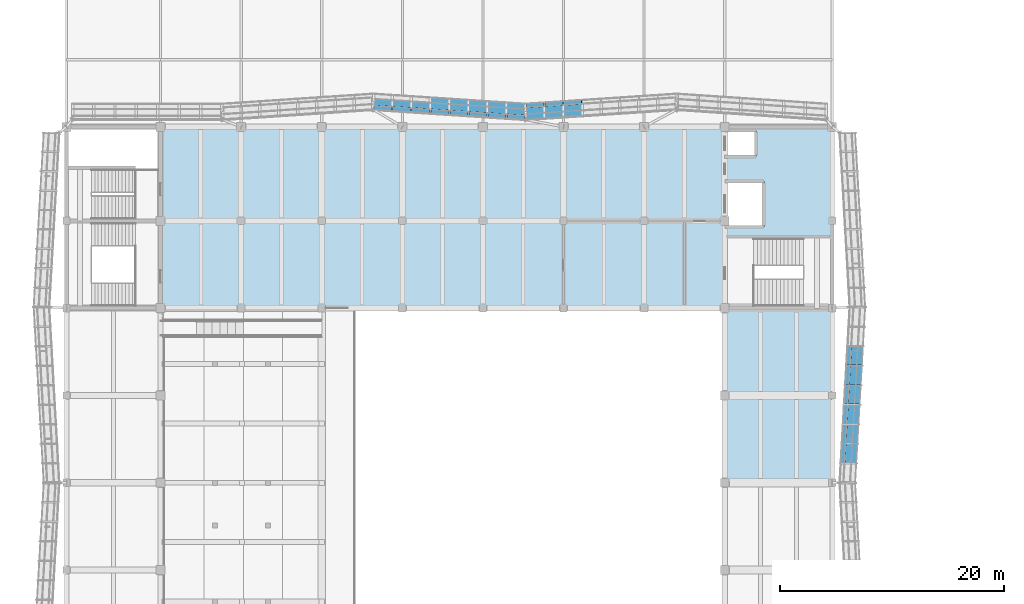
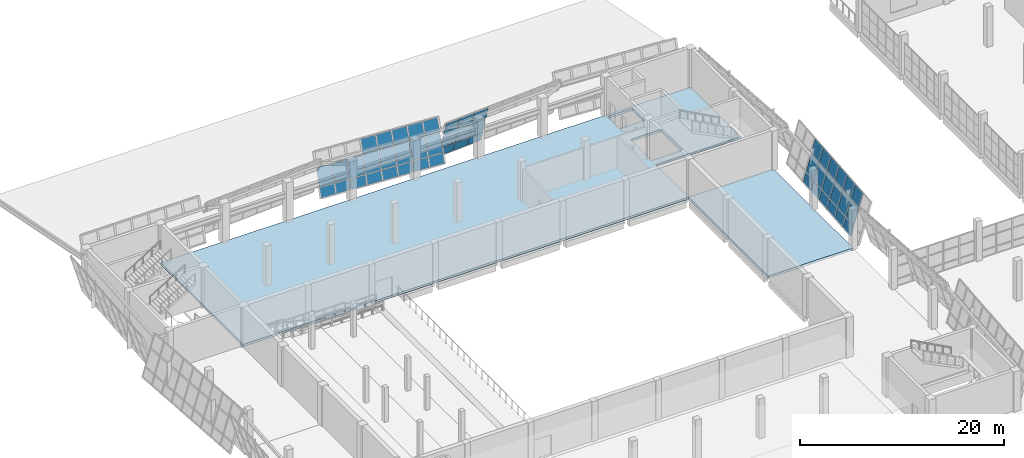
# One storey, part 55 of 79: 48 plates, 2 slabs, 3 elements without a shape of their own.
"""IFC4 building model written with IfcOpenShell, lengths in metres."""

from ifc_helpers import new_model, si_unit, direction, frame, origin, place, context, subcontext, project, spatial, polyline, outline, extrude, material, layer, layer_set, type_object, element, aggregate, save


model = new_model("IFC4")

# Units and contexts
model_context = context("Model", 3, precision=1e-05, world=origin(), true_north=direction((0.0, 1.0)))
body_context = subcontext(model_context, "Body", "Model", "MODEL_VIEW")
ifc_project = project(units=[si_unit("LENGTHUNIT", "METRE"), si_unit("AREAUNIT", "SQUARE_METRE"), si_unit("VOLUMEUNIT", "CUBIC_METRE"), si_unit("PLANEANGLEUNIT", "RADIAN"), si_unit("MASSUNIT", "GRAM", prefix="KILO")], contexts=[model_context])

# Site, building, storey
site_placement = place(None, origin())
site = spatial("IfcSite", under=ifc_project, at=site_placement, CompositionType="ELEMENT")
building_placement = place(site_placement, origin())
building = spatial("IfcBuilding", under=site, at=building_placement, Name="Pellamere Symphony Hall", CompositionType="ELEMENT")
storey_placement = place(building_placement, frame((0.0, 0.0, 10.199951171875)))
storey = spatial("IfcBuildingStorey", under=building, at=storey_placement, Name="L02", CompositionType="ELEMENT", Elevation=10.199951171875)

# Curtain wall, plates
ifc_material_1 = material(Name="Thermally Broken Anodised Aluminium 6063-T6 Curtain Wall", Category="aluminium")
curtain_wall_type = type_object("IfcCurtainWallType", Name="Curtain Wall CW-01 (Tilted Faceted Crystal Low-Iron Curtain Wall)", PredefinedType="NOTDEFINED", material=ifc_material_1)
curtain_wall_1_placement = place(storey_placement, origin())
curtain_wall_1 = element("IfcCurtainWall", 1, at=curtain_wall_1_placement, inside=storey, type_object=curtain_wall_type, Name="Crystal Faceted Curtain Wall CW-CR08 (L02)", PredefinedType="NOTDEFINED")
ifc_material_2 = material(Name="Triple Laminated Acoustic Crystal Glazing 42mm", Category="glass")
ifc_layer_1 = layer(ifc_material_2, 0.0419921875, Name="Triple Laminated Acoustic Crystal Glazing 42mm")
ifc_layer_set_1 = layer_set([ifc_layer_1], Name="Triple Laminated Acoustic Crystal Glazing 42mm")
plate_type = type_object("IfcPlateType", Name="Facade Panel GL-02 42mm", PredefinedType="CURTAIN_PANEL", material=ifc_layer_set_1)
plate_1_placement = place(storey_placement, frame((119.573486328125, 63.581787109375, 0.072021484375), z_axis=(-0.95736924277, 0.054874797948, 0.283606927891), x_axis=(0.057224396245, 0.998361341637, 0.0)))
plate_1 = element("IfcPlate", 2, at=plate_1_placement, type_object=plate_type, Name="CW1-014 crystal glass panel 2.1", PredefinedType="CURTAIN_PANEL", context=body_context, shape_type="SweptSolid", body=[
    extrude(outline(polyline([(0.0, 0.0), (1.6724182565382377, 3.469446951953614e-18), (1.6901192599666512, -1.0888989710262178), (0.01770100342841346, -1.0888989710262178), (0.0, 0.0)])), origin(), (0.0, 0.0, -1.0), 0.0419921875),
])
plate_2_placement = place(storey_placement, frame((119.904052734375, 63.581787109375, 1.18798828125), z_axis=(-0.957366785115, 0.054874657079, 0.283615251298), x_axis=(0.057224396245, 0.998361341637, 0.0)))
plate_2 = element("IfcPlate", 3, at=plate_2_placement, type_object=plate_type, Name="CW1-014 crystal glass panel 2.2", PredefinedType="CURTAIN_PANEL", context=body_context, shape_type="SweptSolid", body=[
    extrude(outline(polyline([(0.0, 0.0), (1.6724182565382377, -3.469446951953614e-18), (1.7053753734187647, -2.0273380325801393), (0.03295711688052672, -2.0273380325801393), (0.0, 0.0)])), origin(), (0.0, 0.0, -1.0), 0.0419921875),
])
plate_3_placement = place(storey_placement, frame((120.501220703125, 63.581787109375, 3.2041015625), z_axis=(-0.957373536574, 0.054875044062, 0.283592385313), x_axis=(0.057224396245, 0.998361341637, 0.0)))
plate_3 = element("IfcPlate", 4, at=plate_3_placement, type_object=plate_type, Name="CW1-014 crystal glass panel 2.3", PredefinedType="CURTAIN_PANEL", context=body_context, shape_type="SweptSolid", body=[
    extrude(outline(polyline([(0.0, 0.0), (1.6724182565382377, 0.0), (1.6982502654878324, -1.5891692525451158), (0.025832008949594705, -1.5891692525451158), (0.0, 0.0)])), origin(), (0.0, 0.0, -1.0), 0.0419921875),
])
plate_4_placement = place(storey_placement, frame((119.67333984375, 65.326416015625, 0.072021484375), z_axis=(-0.957368821144, 0.054882798755, 0.28360680299), x_axis=(0.057232737422, 0.998360863499, 0.0)))
plate_4 = element("IfcPlate", 5, at=plate_4_placement, type_object=plate_type, Name="CW1-014 crystal glass panel 3.1", PredefinedType="CURTAIN_PANEL", context=body_context, shape_type="SweptSolid", body=[
    extrude(outline(polyline([(0.0, 0.0), (1.6721745160346768, -3.469446951953614e-18), (1.6898780996073564, -1.0888989290806625), (0.01770358357267939, -1.0888989290806625), (0.0, 0.0)])), origin(), (0.0, 0.0, -1.0), 0.0419921875),
])
plate_5_placement = place(storey_placement, frame((120.004150390625, 65.326416015625, 1.18798828125), z_axis=(-0.957399002665, 0.054884528962, 0.283504564647), x_axis=(0.057232737422, 0.998360863499, 0.0)))
plate_5 = element("IfcPlate", 6, at=plate_5_placement, type_object=plate_type, Name="CW1-014 crystal glass panel 3.2", PredefinedType="CURTAIN_PANEL", context=body_context, shape_type="SweptSolid", body=[
    extrude(outline(polyline([(0.0, 0.0), (1.6721745160346768, 0.0), (1.7051224639939333, -2.0272688394771072), (0.03294794795925651, -2.0272688394771072), (0.0, 0.0)])), origin(), (0.0, 0.0, -1.0), 0.0419921875),
])
plate_6_placement = place(storey_placement, frame((120.60107421875, 65.326416015625, 3.2041015625), z_axis=(-0.957331464257, 0.054880657208, 0.283733292034), x_axis=(0.057232737422, 0.998360863499, 0.0)))
plate_6 = element("IfcPlate", 7, at=plate_6_placement, type_object=plate_type, Name="CW1-014 crystal glass panel 3.3", PredefinedType="CURTAIN_PANEL", context=body_context, shape_type="SweptSolid", body=[
    extrude(outline(polyline([(0.0, 0.0), (1.6721745160346768, 3.469446951953614e-18), (1.69802426316132, -1.589238331426626), (0.02584974712664315, -1.589238331426626), (0.0, 0.0)])), origin(), (0.0, 0.0, -1.0), 0.0419921875),
])
plate_7_placement = place(storey_placement, frame((119.7734375, 67.07080078125, 0.072021484375), z_axis=(-0.957368821144, 0.054882798755, 0.28360680299), x_axis=(0.057232737422, 0.998360863499, 0.0)))
plate_7 = element("IfcPlate", 8, at=plate_7_placement, type_object=plate_type, Name="CW1-014 crystal glass panel 4.1", PredefinedType="CURTAIN_PANEL", context=body_context, shape_type="SweptSolid", body=[
    extrude(outline(polyline([(0.0, 0.0), (1.6721745160346768, -3.469446951953614e-18), (1.6898780996073564, -1.0888989290806625), (0.01770358357267939, -1.0888989290806625), (0.0, 0.0)])), origin(), (0.0, 0.0, -1.0), 0.0419921875),
])
plate_8_placement = place(storey_placement, frame((120.10400390625, 67.07080078125, 1.18798828125), z_axis=(-0.957366363492, 0.054882657866, 0.283615126394), x_axis=(0.057232737422, 0.998360863499, 0.0)))
plate_8 = element("IfcPlate", 9, at=plate_8_placement, type_object=plate_type, Name="CW1-014 crystal glass panel 4.2", PredefinedType="CURTAIN_PANEL", context=body_context, shape_type="SweptSolid", body=[
    extrude(outline(polyline([(0.0, 0.0), (1.6721745160346768, 0.0), (1.705136436830218, -2.027337954480322), (0.03296192079554119, -2.027337954480322), (0.0, 0.0)])), origin(), (0.0, 0.0, -1.0), 0.0419921875),
])
plate_9_placement = place(storey_placement, frame((120.701171875, 67.07080078125, 3.2041015625), z_axis=(-0.957373114942, 0.054883044905, 0.283592260418), x_axis=(0.057232737422, 0.998360863499, 0.0)))
plate_9 = element("IfcPlate", 10, at=plate_9_placement, type_object=plate_type, Name="CW1-014 crystal glass panel 4.3", PredefinedType="CURTAIN_PANEL", context=body_context, shape_type="SweptSolid", body=[
    extrude(outline(polyline([(0.0, 0.0), (1.6721745160346768, -3.469446951953614e-18), (1.6980102903250354, -1.5891691913348909), (0.025835774290358476, -1.5891691913348909), (0.0, 0.0)])), origin(), (0.0, 0.0, -1.0), 0.0419921875),
])
plate_10_placement = place(storey_placement, frame((119.87353515625, 68.815185546875, 0.072021484375), z_axis=(-0.957430001187, 0.054878280518, 0.283401071195), x_axis=(0.057224396245, 0.998361341637, 0.0)))
plate_10 = element("IfcPlate", 11, at=plate_10_placement, type_object=plate_type, Name="CW1-014 crystal glass panel 5.1", PredefinedType="CURTAIN_PANEL", context=body_context, shape_type="SweptSolid", body=[
    extrude(outline(polyline([(0.0, 0.0), (1.6724182565382377, 0.0), (1.6901052891667867, -1.0888298696012657), (0.01768703262854889, -1.0888298696012657), (0.0, 0.0)])), origin(), (0.0, 0.0, -1.0), 0.0419921875),
])
plate_11_placement = place(storey_placement, frame((120.2041015625, 68.815185546875, 1.18798828125), z_axis=(-0.957399424332, 0.054876527904, 0.283504689511), x_axis=(0.057224396245, 0.998361341637, 0.0)))
plate_11 = element("IfcPlate", 12, at=plate_11_placement, type_object=plate_type, Name="CW1-014 crystal glass panel 5.2", PredefinedType="CURTAIN_PANEL", context=body_context, shape_type="SweptSolid", body=[
    extrude(outline(polyline([(0.0, 0.0), (1.6724182565382377, 3.469446951953614e-18), (1.7053614026189, -2.0272689175133847), (0.03294314608066215, -2.0272689175133847), (0.0, 0.0)])), origin(), (0.0, 0.0, -1.0), 0.0419921875),
])
plate_12_placement = place(storey_placement, frame((120.80126953125, 68.815185546875, 3.2041015625), z_axis=(-0.957373536574, 0.054875044062, 0.283592385313), x_axis=(0.057224396245, 0.998361341637, 0.0)))
plate_12 = element("IfcPlate", 13, at=plate_12_placement, type_object=plate_type, Name="CW1-014 crystal glass panel 5.3", PredefinedType="CURTAIN_PANEL", context=body_context, shape_type="SweptSolid", body=[
    extrude(outline(polyline([(0.0, 0.0), (1.6724182565382377, 0.0), (1.6982502654878324, -1.5891692525451158), (0.025832008949594705, -1.5891692525451158), (0.0, 0.0)])), origin(), (0.0, 0.0, -1.0), 0.0419921875),
])
plate_13_placement = place(storey_placement, frame((119.973388671875, 70.5595703125, 0.072021484375), z_axis=(-0.95736924277, 0.054874797948, 0.283606927891), x_axis=(0.057224396245, 0.998361341637, 0.0)))
plate_13 = element("IfcPlate", 14, at=plate_13_placement, type_object=plate_type, Name="CW1-014 crystal glass panel 6.1", PredefinedType="CURTAIN_PANEL", context=body_context, shape_type="SweptSolid", body=[
    extrude(outline(polyline([(0.0, 0.0), (1.6724182565382377, 3.469446951953614e-18), (1.6901192599666512, -1.0888989710262178), (0.01770100342841346, -1.0888989710262178), (0.0, 0.0)])), origin(), (0.0, 0.0, -1.0), 0.0419921875),
])
plate_14_placement = place(storey_placement, frame((120.303955078125, 70.5595703125, 1.18798828125), z_axis=(-0.957366785115, 0.054874657079, 0.283615251298), x_axis=(0.057224396245, 0.998361341637, 0.0)))
plate_14 = element("IfcPlate", 15, at=plate_14_placement, type_object=plate_type, Name="CW1-014 crystal glass panel 6.2", PredefinedType="CURTAIN_PANEL", context=body_context, shape_type="SweptSolid", body=[
    extrude(outline(polyline([(0.0, 0.0), (1.6724182565382377, -3.469446951953614e-18), (1.7053753734187647, -2.0273380325801393), (0.03295711688052672, -2.0273380325801393), (0.0, 0.0)])), origin(), (0.0, 0.0, -1.0), 0.0419921875),
])
plate_15_placement = place(storey_placement, frame((120.901123046875, 70.5595703125, 3.2041015625), z_axis=(-0.957373536574, 0.054875044062, 0.283592385313), x_axis=(0.057224396245, 0.998361341637, 0.0)))
plate_15 = element("IfcPlate", 16, at=plate_15_placement, type_object=plate_type, Name="CW1-014 crystal glass panel 6.3", PredefinedType="CURTAIN_PANEL", context=body_context, shape_type="SweptSolid", body=[
    extrude(outline(polyline([(0.0, 0.0), (1.6724182565382377, 0.0), (1.6982502654878324, -1.5891692525451158), (0.025832008949594705, -1.5891692525451158), (0.0, 0.0)])), origin(), (0.0, 0.0, -1.0), 0.0419921875),
])
plate_16_placement = place(storey_placement, frame((120.073486328125, 72.30419921875, 0.072021484375), z_axis=(-0.957368821144, 0.054882798755, 0.28360680299), x_axis=(0.057232737422, 0.998360863499, 0.0)))
plate_16 = element("IfcPlate", 17, at=plate_16_placement, type_object=plate_type, Name="CW1-014 crystal glass panel 7.1", PredefinedType="CURTAIN_PANEL", context=body_context, shape_type="SweptSolid", body=[
    extrude(outline(polyline([(0.0, 0.0), (1.6721745160346768, -3.469446951953614e-18), (1.6898780996073564, -1.0888989290806625), (0.01770358357267939, -1.0888989290806625), (0.0, 0.0)])), origin(), (0.0, 0.0, -1.0), 0.0419921875),
])
plate_17_placement = place(storey_placement, frame((120.404052734375, 72.30419921875, 1.18798828125), z_axis=(-0.957366363492, 0.054882657866, 0.283615126394), x_axis=(0.057232737422, 0.998360863499, 0.0)))
plate_17 = element("IfcPlate", 18, at=plate_17_placement, type_object=plate_type, Name="CW1-014 crystal glass panel 7.2", PredefinedType="CURTAIN_PANEL", context=body_context, shape_type="SweptSolid", body=[
    extrude(outline(polyline([(0.0, 0.0), (1.6721745160346768, 0.0), (1.705136436830218, -2.027337954480322), (0.03296192079554119, -2.027337954480322), (0.0, 0.0)])), origin(), (0.0, 0.0, -1.0), 0.0419921875),
])
plate_18_placement = place(storey_placement, frame((121.001220703125, 72.30419921875, 3.2041015625), z_axis=(-0.957373114942, 0.054883044905, 0.283592260418), x_axis=(0.057232737422, 0.998360863499, 0.0)))
plate_18 = element("IfcPlate", 19, at=plate_18_placement, type_object=plate_type, Name="CW1-014 crystal glass panel 7.3", PredefinedType="CURTAIN_PANEL", context=body_context, shape_type="SweptSolid", body=[
    extrude(outline(polyline([(0.0, 0.0), (1.6721745160346768, -3.469446951953614e-18), (1.6980102903250354, -1.5891691913348909), (0.025835774290358476, -1.5891691913348909), (0.0, 0.0)])), origin(), (0.0, 0.0, -1.0), 0.0419921875),
])
aggregate(curtain_wall_1, [plate_1, plate_2, plate_3, plate_4, plate_5, plate_6, plate_7, plate_8, plate_9, plate_10, plate_11, plate_12, plate_13, plate_14, plate_15, plate_16, plate_17, plate_18])

curtain_wall_2_placement = place(storey_placement, origin())
curtain_wall_2 = element("IfcCurtainWall", 20, at=curtain_wall_2_placement, inside=storey, type_object=curtain_wall_type, Name="Crystal Faceted Curtain Wall CW-CR11 (L02)", PredefinedType="NOTDEFINED")
plate_19_placement = place(storey_placement, frame((96.425048828125, 95.985595703125, 0.072021484375), z_axis=(-0.063886927085, 0.95685522312, 0.283454656931), x_axis=(-0.997778468566, -0.06661927398, 0.0)))
plate_19 = element("IfcPlate", 21, at=plate_19_placement, type_object=plate_type, Name="CW1-025 crystal glass panel 6.1", PredefinedType="CURTAIN_PANEL", context=body_context, shape_type="SweptSolid", body=[
    extrude(outline(polyline([(0.0, 0.0), (1.6161391320080933, 3.469446951953614e-18), (1.6367462170014098, 1.0888478510207047), (0.020607084993316285, 1.0888478510207047), (0.0, 0.0)])), origin(), (0.0, 0.0, -1.0), 0.0419921875),
])
plate_20_placement = place(storey_placement, frame((96.425048828125, 95.655029296875, 1.18798828125), z_axis=(-0.063886763257, 0.956852769421, 0.28346297665), x_axis=(-0.997778468566, -0.06661927398, 0.0)))
plate_20 = element("IfcPlate", 22, at=plate_20_placement, type_object=plate_type, Name="CW1-025 crystal glass panel 6.2", PredefinedType="CURTAIN_PANEL", context=body_context, shape_type="SweptSolid", body=[
    extrude(outline(polyline([(0.0, 0.0), (1.6161391320080933, -3.469446951953614e-18), (1.6545070195370857, 2.0272428505498667), (0.0383678875289922, 2.0272428505498667), (0.0, 0.0)])), origin(), (0.0, 0.0, -1.0), 0.0419921875),
])
plate_21_placement = place(storey_placement, frame((96.425048828125, 95.057861328125, 3.2041015625), z_axis=(-0.06381368745, 0.956843145529, 0.283511918881), x_axis=(-0.997783083136, -0.06655012087, 2.0490067e-05)))
plate_21 = element("IfcPlate", 23, at=plate_21_placement, type_object=plate_type, Name="CW1-025 crystal glass panel 6.3", PredefinedType="CURTAIN_PANEL", context=body_context, shape_type="SweptSolid", body=[
    extrude(outline(polyline([(0.0, 0.0), (1.616139127787312, -6.938893903907228e-18), (1.6462121435312838, 1.5890946497935534), (0.03008926333207481, 1.5891637128035583), (0.0, 0.0)])), origin(), (0.0, 0.0, -1.0), 0.0419921875),
])
plate_22_placement = place(storey_placement, frame((94.737548828125, 95.873046875, 0.072021484375), z_axis=(-0.063816811186, 0.956889983844, 0.283353089675), x_axis=(-0.997783083588, -0.066550114099, 2.0479591e-05)))
plate_22 = element("IfcPlate", 24, at=plate_22_placement, type_object=plate_type, Name="CW1-025 crystal glass panel 7.1", PredefinedType="CURTAIN_PANEL", context=body_context, shape_type="SweptSolid", body=[
    extrude(outline(polyline([(0.0, 0.0), (1.6161391277868986, -3.469446951953614e-18), (1.636729956805199, 1.0887788205946034), (0.020607076604750436, 1.0888478449140901), (0.0, 0.0)])), origin(), (0.0, 0.0, -1.0), 0.0419921875),
])
plate_23_placement = place(storey_placement, frame((94.737548828125, 95.54248046875, 1.18798828125), z_axis=(-0.063815711161, 0.956873489719, 0.283409032463), x_axis=(-0.997783083429, -0.066550116483, 2.0483281e-05)))
plate_23 = element("IfcPlate", 25, at=plate_23_placement, type_object=plate_type, Name="CW1-025 crystal glass panel 7.2", PredefinedType="CURTAIN_PANEL", context=body_context, shape_type="SweptSolid", body=[
    extrude(outline(polyline([(0.0, 0.0), (1.6161391277870443, -1.0408340855860843e-17), (1.6544907593871159, 2.02717380939563), (0.038367879187103396, 2.0272428473426825), (0.0, 0.0)])), origin(), (0.0, 0.0, -1.0), 0.0419921875),
])
plate_24_placement = place(storey_placement, frame((94.737548828125, 94.9453125, 3.2041015625), z_axis=(-0.06388721331, 0.956859510011, 0.283440120796), x_axis=(-0.997778468566, -0.06661927398, 0.0)))
plate_24 = element("IfcPlate", 26, at=plate_24_placement, type_object=plate_type, Name="CW1-025 crystal glass panel 7.3", PredefinedType="CURTAIN_PANEL", context=body_context, shape_type="SweptSolid", body=[
    extrude(outline(polyline([(0.0, 0.0), (1.6161391320080933, 0.0), (1.6462121392319622, 1.5890946542474071), (0.030073007223868832, 1.5890946542474071), (0.0, 0.0)])), origin(), (0.0, 0.0, -1.0), 0.0419921875),
])
plate_25_placement = place(storey_placement, frame((93.050048828125, 95.760498046875, 0.072021484375), z_axis=(-0.063771047993, 0.956862329425, 0.283456762072), x_axis=(-0.997786526209, -0.066498482063, 0.0)))
plate_25 = element("IfcPlate", 27, at=plate_25_placement, type_object=plate_type, Name="CW1-025 crystal glass panel 8.1", PredefinedType="CURTAIN_PANEL", context=body_context, shape_type="SweptSolid", body=[
    extrude(outline(polyline([(0.0, 0.0), (1.578689700777497, -3.469446951953614e-18), (1.5992594216695049, 1.088848557516955), (0.020569720892007894, 1.088848557516955), (0.0, 0.0)])), origin(), (0.0, 0.0, -1.0), 0.0419921875),
])
plate_26_placement = place(storey_placement, frame((93.050048828125, 95.429931640625, 1.18798828125), z_axis=(-0.06377088446, 0.956859875672, 0.283465081842), x_axis=(-0.997786526209, -0.066498482063, 0.0)))
plate_26 = element("IfcPlate", 28, at=plate_26_placement, type_object=plate_type, Name="CW1-025 crystal glass panel 8.2", PredefinedType="CURTAIN_PANEL", context=body_context, shape_type="SweptSolid", body=[
    extrude(outline(polyline([(0.0, 0.0), (1.578689700777497, -3.469446951953614e-18), (1.6169880208913459, 2.027244165998621), (0.038298320113848955, 2.027244165998621), (0.0, 0.0)])), origin(), (0.0, 0.0, -1.0), 0.0419921875),
])
plate_27_placement = place(storey_placement, frame((93.050048828125, 94.832763671875, 3.2041015625), z_axis=(-0.063771333704, 0.956866616412, 0.283442225848), x_axis=(-0.997786526209, -0.066498482063, 0.0)))
plate_27 = element("IfcPlate", 29, at=plate_27_placement, type_object=plate_type, Name="CW1-025 crystal glass panel 8.3", PredefinedType="CURTAIN_PANEL", context=body_context, shape_type="SweptSolid", body=[
    extrude(outline(polyline([(0.0, 0.0), (1.578689700777497, 0.0), (1.608708180595431, 1.5890956852218163), (0.030018479817934176, 1.5890956852218163), (0.0, 0.0)])), origin(), (0.0, 0.0, -1.0), 0.0419921875),
])
aggregate(curtain_wall_2, [plate_19, plate_20, plate_21, plate_22, plate_23, plate_24, plate_25, plate_26, plate_27])

curtain_wall_3_placement = place(storey_placement, origin())
curtain_wall_3 = element("IfcCurtainWall", 30, at=curtain_wall_3_placement, inside=storey, type_object=curtain_wall_type, Name="Crystal Faceted Curtain Wall CW-CR12 (L02)", PredefinedType="NOTDEFINED")
plate_28_placement = place(storey_placement, frame((91.3251953125, 94.2763671875, 0.072021484375), z_axis=(-0.063338517177, -0.956919200278, 0.283361741209), x_axis=(-0.997817016827, 0.066039385956, -2.0799787e-05)))
plate_28 = element("IfcPlate", 31, at=plate_28_placement, type_object=plate_type, Name="CW1-028 crystal glass panel 1.1", PredefinedType="CURTAIN_PANEL", context=body_context, shape_type="SweptSolid", body=[
    extrude(outline(polyline([(0.0, 0.0), (1.5913571321789939, 3.469446951953614e-18), (1.6117631237118468, -1.088851631990778), (0.020389868635891022, -1.088782602575562), (0.0, 0.0)])), origin(), (0.0, 0.0, -1.0), 0.0419921875),
])
plate_29_placement = place(storey_placement, frame((91.3251953125, 94.60693359375, 1.18798828125), z_axis=(-0.06333742533, -0.956902704642, 0.283417685407), x_axis=(-0.997817016987, 0.066039383535, -2.0803535e-05)))
plate_29 = element("IfcPlate", 32, at=plate_29_placement, type_object=plate_type, Name="CW1-028 crystal glass panel 1.2", PredefinedType="CURTAIN_PANEL", context=body_context, shape_type="SweptSolid", body=[
    extrude(outline(polyline([(0.0, 0.0), (1.5913571321791418, -6.938893903907228e-18), (1.6293506007366731, -2.0272498989028254), (0.03797734566116078, -2.0271808558591102), (0.0, 0.0)])), origin(), (0.0, 0.0, -1.0), 0.0419921875),
])
plate_30_placement = place(storey_placement, frame((91.3251953125, 95.2041015625, 3.2041015625), z_axis=(-0.063263525569, -0.956897605352, 0.283451405366), x_axis=(-0.997821663418, 0.065969144414, 0.0)))
plate_30 = element("IfcPlate", 33, at=plate_30_placement, type_object=plate_type, Name="CW1-028 crystal glass panel 1.3", PredefinedType="CURTAIN_PANEL", context=body_context, shape_type="SweptSolid", body=[
    extrude(outline(polyline([(0.0, 0.0), (1.5913571364661865, 0.0), (1.6211366647918048, -1.5891001811131598), (0.029779528325618424, -1.5891001811131598), (0.0, 0.0)])), origin(), (0.0, 0.0, -1.0), 0.0419921875),
])
plate_31_placement = place(storey_placement, frame((89.66259765625, 94.38623046875, 0.072021484375), z_axis=(-0.063389898594, -0.956885612104, 0.283463659232), x_axis=(-0.9978129259, 0.066101171747, 0.0)))
plate_31 = element("IfcPlate", 34, at=plate_31_placement, type_object=plate_type, Name="CW1-028 crystal glass panel 2.1", PredefinedType="CURTAIN_PANEL", context=body_context, shape_type="SweptSolid", body=[
    extrude(outline(polyline([(0.0, 0.0), (1.6288064610494575, 0.0), (1.6492532834625127, -1.0888508722857952), (0.02044682241305521, -1.0888508722857952), (0.0, 0.0)])), origin(), (0.0, 0.0, -1.0), 0.0419921875),
])
plate_32_placement = place(storey_placement, frame((89.66259765625, 94.716796875, 1.18798828125), z_axis=(-0.063319232236, -0.956903811566, 0.283418013259), x_axis=(-0.997817469393, 0.066032547741, 2.0325269e-05)))
plate_32 = element("IfcPlate", 35, at=plate_32_placement, type_object=plate_type, Name="CW1-028 crystal glass panel 2.2", PredefinedType="CURTAIN_PANEL", context=body_context, shape_type="SweptSolid", body=[
    extrude(outline(polyline([(0.0, 0.0), (1.6288064568609704, 6.938893903907228e-18), (1.6668598254383915, -2.027179430214559), (0.038069489804897105, -2.0272484727335502), (0.0, 0.0)])), origin(), (0.0, 0.0, -1.0), 0.0419921875),
])
plate_33_placement = place(storey_placement, frame((89.66259765625, 95.31396484375, 3.2041015625), z_axis=(-0.06339018261, -0.956889899403, 0.283449122717), x_axis=(-0.9978129259, 0.066101171747, 0.0)))
plate_33 = element("IfcPlate", 36, at=plate_33_placement, type_object=plate_type, Name="CW1-028 crystal glass panel 2.3", PredefinedType="CURTAIN_PANEL", context=body_context, shape_type="SweptSolid", body=[
    extrude(outline(polyline([(0.0, 0.0), (1.6288064610494575, 3.469446951953614e-18), (1.6586455886277836, -1.5890990631129758), (0.029839127578326036, -1.5890990631129758), (0.0, 0.0)])), origin(), (0.0, 0.0, -1.0), 0.0419921875),
])
plate_34_placement = place(storey_placement, frame((87.962646484375, 94.498779296875, 0.072021484375), z_axis=(-0.063320323772, -0.956920307259, 0.283362069007), x_axis=(-0.99781746955, 0.066032545375, 2.0321608e-05)))
plate_34 = element("IfcPlate", 37, at=plate_34_placement, type_object=plate_type, Name="CW1-028 crystal glass panel 3.1", PredefinedType="CURTAIN_PANEL", context=body_context, shape_type="SweptSolid", body=[
    extrude(outline(polyline([(0.0, 0.0), (1.6288064568608254, 0.0), (1.6492371497223, -1.0887818372857676), (0.020446814088372737, -1.0888508661763663), (0.0, 0.0)])), origin(), (0.0, 0.0, -1.0), 0.0419921875),
])
plate_35_placement = place(storey_placement, frame((87.962646484375, 94.829345703125, 1.18798828125), z_axis=(-0.063319232236, -0.956903811566, 0.283418013259), x_axis=(-0.997817469393, 0.066032547741, 2.0325269e-05)))
plate_35 = element("IfcPlate", 38, at=plate_35_placement, type_object=plate_type, Name="CW1-028 crystal glass panel 3.2", PredefinedType="CURTAIN_PANEL", context=body_context, shape_type="SweptSolid", body=[
    extrude(outline(polyline([(0.0, 0.0), (1.6288064568609704, 6.938893903907228e-18), (1.6668598254383915, -2.027179430214559), (0.038069489804897105, -2.0272484727335502), (0.0, 0.0)])), origin(), (0.0, 0.0, -1.0), 0.0419921875),
])
plate_36_placement = place(storey_placement, frame((87.962646484375, 95.426513671875, 3.2041015625), z_axis=(-0.06339018261, -0.956889899403, 0.283449122717), x_axis=(-0.9978129259, 0.066101171747, 0.0)))
plate_36 = element("IfcPlate", 39, at=plate_36_placement, type_object=plate_type, Name="CW1-028 crystal glass panel 3.3", PredefinedType="CURTAIN_PANEL", context=body_context, shape_type="SweptSolid", body=[
    extrude(outline(polyline([(0.0, 0.0), (1.6288064610494575, 3.469446951953614e-18), (1.6586455886277836, -1.5890990631129758), (0.029839127578326036, -1.5890990631129758), (0.0, 0.0)])), origin(), (0.0, 0.0, -1.0), 0.0419921875),
])
plate_37_placement = place(storey_placement, frame((86.2626953125, 94.611328125, 0.072021484375), z_axis=(-0.063246732964, -0.956894321234, 0.283466239187), x_axis=(-0.997822801026, 0.065951935174, 0.0)))
plate_37 = element("IfcPlate", 40, at=plate_37_placement, type_object=plate_type, Name="CW1-028 crystal glass panel 4.1", PredefinedType="CURTAIN_PANEL", context=body_context, shape_type="SweptSolid", body=[
    extrude(outline(polyline([(0.0, 0.0), (1.628790341285339, 6.938893903907228e-18), (1.6491910009203679, -1.088851738167683), (0.02040065963502891, -1.088851738167683), (0.0, 0.0)])), origin(), (0.0, 0.0, -1.0), 0.0419921875),
])
plate_38_placement = place(storey_placement, frame((86.2626953125, 94.94189453125, 1.18798828125), z_axis=(-0.063246570765, -0.956891867235, 0.283474559187), x_axis=(-0.997822801026, 0.065951935174, 0.0)))
plate_38 = element("IfcPlate", 41, at=plate_38_placement, type_object=plate_type, Name="CW1-028 crystal glass panel 4.2", PredefinedType="CURTAIN_PANEL", context=body_context, shape_type="SweptSolid", body=[
    extrude(outline(polyline([(0.0, 0.0), (1.628790341285339, 6.938893903907228e-18), (1.666773889887575, -2.027250088157494), (0.03798354860223615, -2.027250088157494), (0.0, 0.0)])), origin(), (0.0, 0.0, -1.0), 0.0419921875),
])
plate_39_placement = place(storey_placement, frame((86.2626953125, 95.5390625, 3.2041015625), z_axis=(-0.063317224141, -0.956873464491, 0.283520902367), x_axis=(-0.997818262908, 0.066020555846, -2.0332204e-05)))
plate_39 = element("IfcPlate", 42, at=plate_39_placement, type_object=plate_type, Name="CW1-028 crystal glass panel 4.3", PredefinedType="CURTAIN_PANEL", context=body_context, shape_type="SweptSolid", body=[
    extrude(outline(polyline([(0.0, 0.0), (1.628790337097076, 0.0), (1.6585782068957418, -1.5891693908049735), (0.029771751498898883, -1.5891003225379625), (0.0, 0.0)])), origin(), (0.0, 0.0, -1.0), 0.0419921875),
])
plate_40_placement = place(storey_placement, frame((84.5625, 94.723876953125, 0.072021484375), z_axis=(-0.06332979889, -0.956919730784, 0.283361898302), x_axis=(-0.997817608988, 0.066030438283, -2.0324824e-05)))
plate_40 = element("IfcPlate", 43, at=plate_40_placement, type_object=plate_type, Name="CW1-028 crystal glass panel 5.1", PredefinedType="CURTAIN_PANEL", context=body_context, shape_type="SweptSolid", body=[
    extrude(outline(polyline([(0.0, 0.0), (1.628546728093361, 6.938893903907228e-18), (1.6489504478277106, -1.0888516745638068), (0.020387599021878273, -1.0887826450767442), (0.0, 0.0)])), origin(), (0.0, 0.0, -1.0), 0.0419921875),
])
plate_41_placement = place(storey_placement, frame((84.5625, 95.054443359375, 1.18798828125), z_axis=(-0.063328707192, -0.95690323512, 0.283417842526), x_axis=(-0.997817609145, 0.066030435916, -2.0328486e-05)))
plate_41 = element("IfcPlate", 44, at=plate_41_placement, type_object=plate_type, Name="CW1-028 crystal glass panel 5.2", PredefinedType="CURTAIN_PANEL", context=body_context, shape_type="SweptSolid", body=[
    extrude(outline(polyline([(0.0, 0.0), (1.6285467280935053, 0.0), (1.666535967007113, -2.0272499781677884), (0.03797311820171406, -2.0271809350522134), (0.0, 0.0)])), origin(), (0.0, 0.0, -1.0), 0.0419921875),
])
plate_42_placement = place(storey_placement, frame((84.5625, 95.651611328125, 3.2041015625), z_axis=(-0.063256480581, -0.956898033522, 0.283451532198), x_axis=(-0.997822148906, 0.065961800709, 0.0)))
plate_42 = element("IfcPlate", 45, at=plate_42_placement, type_object=plate_type, Name="CW1-028 crystal glass panel 5.3", PredefinedType="CURTAIN_PANEL", context=body_context, shape_type="SweptSolid", body=[
    extrude(outline(polyline([(0.0, 0.0), (1.6285467322826557, 0.0), (1.658322945542129, -1.589100243233604), (0.029776213259473345, -1.589100243233604), (0.0, 0.0)])), origin(), (0.0, 0.0, -1.0), 0.0419921875),
])
plate_43_placement = place(storey_placement, frame((82.862548828125, 94.836181640625, 0.072021484375), z_axis=(-0.063389898594, -0.956885612104, 0.283463659232), x_axis=(-0.9978129259, 0.066101171747, 0.0)))
plate_43 = element("IfcPlate", 46, at=plate_43_placement, type_object=plate_type, Name="CW1-028 crystal glass panel 6.1", PredefinedType="CURTAIN_PANEL", context=body_context, shape_type="SweptSolid", body=[
    extrude(outline(polyline([(0.0, 0.0), (1.6288064610494575, 0.0), (1.6492532834625127, -1.0888508722857952), (0.02044682241305521, -1.0888508722857952), (0.0, 0.0)])), origin(), (0.0, 0.0, -1.0), 0.0419921875),
])
plate_44_placement = place(storey_placement, frame((82.862548828125, 95.166748046875, 1.18798828125), z_axis=(-0.06338973603, -0.956883158171, 0.283471979169), x_axis=(-0.9978129259, 0.066101171747, 0.0)))
plate_44 = element("IfcPlate", 47, at=plate_44_placement, type_object=plate_type, Name="CW1-028 crystal glass panel 6.2", PredefinedType="CURTAIN_PANEL", context=body_context, shape_type="SweptSolid", body=[
    extrude(outline(polyline([(0.0, 0.0), (1.6288064610494575, 3.469446951953614e-18), (1.6668759591334332, -2.0272484759433462), (0.03806949808397573, -2.0272484759433462), (0.0, 0.0)])), origin(), (0.0, 0.0, -1.0), 0.0419921875),
])
plate_45_placement = place(storey_placement, frame((81.16259765625, 94.94873046875, 0.072021484375), z_axis=(-0.063389898594, -0.956885612104, 0.283463659232), x_axis=(-0.9978129259, 0.066101171747, 0.0)))
plate_45 = element("IfcPlate", 48, at=plate_45_placement, type_object=plate_type, Name="CW1-028 crystal glass panel 7.1", PredefinedType="CURTAIN_PANEL", context=body_context, shape_type="SweptSolid", body=[
    extrude(outline(polyline([(0.0, 0.0), (1.6288064610494575, 0.0), (1.6492532834625127, -1.0888508722857952), (0.02044682241305521, -1.0888508722857952), (0.0, 0.0)])), origin(), (0.0, 0.0, -1.0), 0.0419921875),
])
plate_46_placement = place(storey_placement, frame((81.16259765625, 95.279296875, 1.18798828125), z_axis=(-0.063319232236, -0.956903811566, 0.283418013259), x_axis=(-0.997817469393, 0.066032547741, 2.0325269e-05)))
plate_46 = element("IfcPlate", 49, at=plate_46_placement, type_object=plate_type, Name="CW1-028 crystal glass panel 7.2", PredefinedType="CURTAIN_PANEL", context=body_context, shape_type="SweptSolid", body=[
    extrude(outline(polyline([(0.0, 0.0), (1.6288064568609704, 6.938893903907228e-18), (1.6668598254383915, -2.027179430214559), (0.038069489804897105, -2.0272484727335502), (0.0, 0.0)])), origin(), (0.0, 0.0, -1.0), 0.0419921875),
])
plate_47_placement = place(storey_placement, frame((79.462646484375, 95.061279296875, 0.072021484375), z_axis=(-0.063263242115, -0.956893317949, 0.283465941978), x_axis=(-0.997821663418, 0.065969144414, 0.0)))
plate_47 = element("IfcPlate", 50, at=plate_47_placement, type_object=plate_type, Name="CW1-028 crystal glass panel 8.1", PredefinedType="CURTAIN_PANEL", context=body_context, shape_type="SweptSolid", body=[
    extrude(outline(polyline([(0.0, 0.0), (1.5913571364661865, -6.938893903907228e-18), (1.6117631193696795, -1.0888516384182334), (0.020405982903492992, -1.0888516384182334), (0.0, 0.0)])), origin(), (0.0, 0.0, -1.0), 0.0419921875),
])
plate_48_placement = place(storey_placement, frame((79.462646484375, 95.391845703125, 1.18798828125), z_axis=(-0.063263079874, -0.956890863957, 0.283474261971), x_axis=(-0.997821663418, 0.065969144414, 0.0)))
plate_48 = element("IfcPlate", 51, at=plate_48_placement, type_object=plate_type, Name="CW1-028 crystal glass panel 8.2", PredefinedType="CURTAIN_PANEL", context=body_context, shape_type="SweptSolid", body=[
    extrude(outline(polyline([(0.0, 0.0), (1.5913571364661865, -3.469446951953614e-18), (1.6293505963472756, -2.0272499024306923), (0.03799345988108917, -2.0272499024306923), (0.0, 0.0)])), origin(), (0.0, 0.0, -1.0), 0.0419921875),
])
aggregate(curtain_wall_3, [plate_28, plate_29, plate_30, plate_31, plate_32, plate_33, plate_34, plate_35, plate_36, plate_37, plate_38, plate_39, plate_40, plate_41, plate_42, plate_43, plate_44, plate_45, plate_46, plate_47, plate_48])

# Slabs
ifc_material_3 = material(Name="Concrete 40 MPa", Category="concrete")
ifc_layer_2 = layer(ifc_material_3, 0.27001953125, Name="Concrete 40 MPa")
ifc_layer_set_2 = layer_set([ifc_layer_2], Name="Concrete 40 MPa")
slab_type = type_object("IfcSlabType", Name="Structural Slab FS-06 270mm", PredefinedType="FLOOR", material=ifc_layer_set_2)
slab_1_placement = place(storey_placement, frame((0.0, 0.0, -0.27001953125)))
element("IfcSlab", 52, at=slab_1_placement, inside=storey, type_object=slab_type, Name="Floor Slab L02-V1N-1", PredefinedType="FLOOR", context=body_context, shape_type="SweptSolid", body=[
    extrude(outline(polyline([(118.800048828125, 93.60009765625), (118.800048828125, 83.800048828125), (109.199951171875, 83.800048828125), (109.199951171875, 77.39990234375), (58.800048828125, 77.39990234375), (58.800048828125, 85.199951171875), (58.800048828125, 93.60009765625), (118.800048828125, 93.60009765625)]), holes=[polyline([(112.699951171875, 88.75), (109.199951171875, 88.75), (109.199951171875, 84.64990234375), (112.699951171875, 84.64990234375), (112.699951171875, 88.75)]), polyline([(112.0, 90.925048828125), (112.0, 93.27490234375), (109.199951171875, 93.27490234375), (109.199951171875, 90.925048828125), (112.0, 90.925048828125)])]), origin(), (0.0, 0.0, 1.0), 0.27001953125),
])
slab_2_placement = place(storey_placement, frame((0.0, 0.0, -0.27001953125)))
element("IfcSlab", 53, at=slab_2_placement, inside=storey, type_object=slab_type, Name="Floor Slab L02-V1N-2", PredefinedType="FLOOR", context=body_context, shape_type="SweptSolid", body=[
    extrude(outline(polyline([(118.800048828125, 61.800048828125), (109.199951171875, 61.800048828125), (109.199951171875, 77.39990234375), (118.800048828125, 77.39990234375), (118.800048828125, 61.800048828125)])), origin(), (0.0, 0.0, 1.0), 0.27001953125),
])

save(model, "model.ifc")
